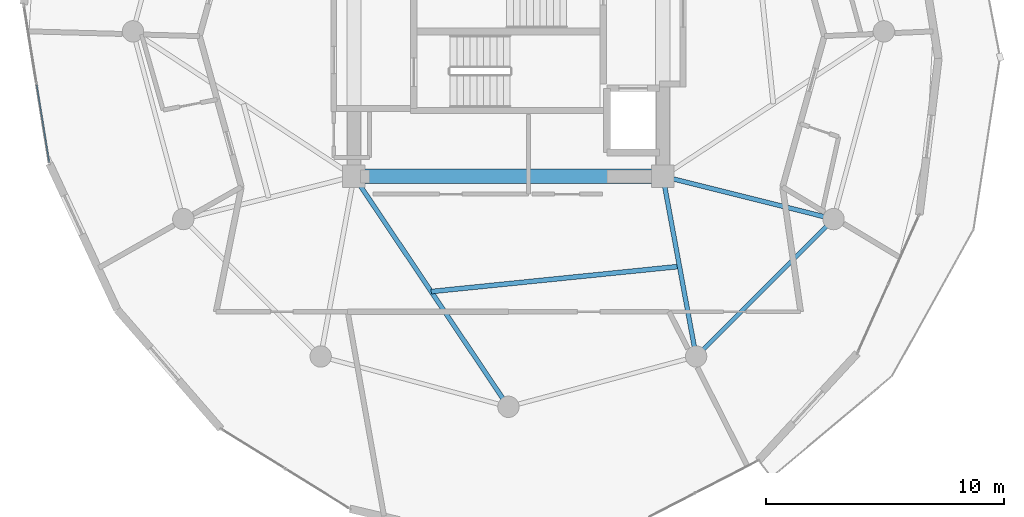
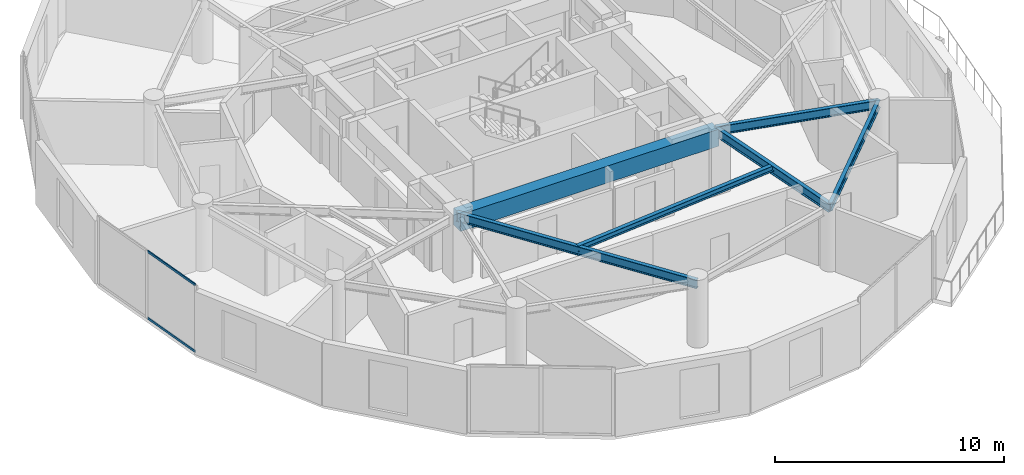
# One storey, part 6 of 22: 6 beams, 2 members, 1 element without a shape of its own.
"""IFC4 building model written with IfcOpenShell, lengths in metres."""

from ifc_helpers import new_model, si_unit, direction, frame, origin, origin_2d, place, context, subcontext, project, spatial, rectangle, hollow_rectangle, i_section, extrude, source, transform, mapped, material, layer, layer_set, material_profile, profile_set, type_object, element, aggregate, save


model = new_model("IFC4")

# Units and contexts
model_context = context("Model", 3, precision=1e-05, world=origin(), true_north=direction((0.0, 1.0)))
body_context = subcontext(model_context, "Body", "Model", "MODEL_VIEW")
ifc_project = project(units=[si_unit("LENGTHUNIT", "METRE"), si_unit("AREAUNIT", "SQUARE_METRE"), si_unit("VOLUMEUNIT", "CUBIC_METRE"), si_unit("PLANEANGLEUNIT", "RADIAN"), si_unit("MASSUNIT", "GRAM", prefix="KILO")], contexts=[model_context])

# Site, building, storey
site_placement = place(None, origin())
site = spatial("IfcSite", under=ifc_project, at=site_placement, CompositionType="ELEMENT")
building_placement = place(site_placement, origin())
building = spatial("IfcBuilding", under=site, at=building_placement, Name="Solvirekh Grand Hotel", CompositionType="ELEMENT")
storey_placement = place(building_placement, frame((0.0, 0.0, 227.199951171875)))
storey = spatial("IfcBuildingStorey", under=building, at=storey_placement, Name="L59", CompositionType="ELEMENT", Elevation=227.199951171875)

# Beams
ifc_material_1 = material(Name="Concrete C50/60", Category="concrete")
ifc_material_profile_1 = material_profile(ifc_material_1, rectangle(XDim=0.60009765625, YDim=0.89990234375, at=origin_2d()), Name="RC BEAM 600X900")
ifc_profile_set_1 = profile_set([ifc_material_profile_1], Name="Concrete C50/60")
beam_type_1 = type_object("IfcBeamType", Name="Beam_Core_RC900", PredefinedType="BEAM", material=ifc_profile_set_1)
beam_1_placement = place(storey_placement, frame((-6.5, -6.10009765625, 2.91015625), z_axis=(1.0, 0.0, 0.0), x_axis=(0.0, 1.0, 0.0)))
element("IfcBeam", 1, at=beam_1_placement, inside=storey, type_object=beam_type_1, Name="L59 core coupling ring beam 1", PredefinedType="BEAM", context=body_context, shape_type="SweptSolid", body=[
    extrude(rectangle(XDim=0.60009765625, YDim=0.89990234375, at=origin_2d()), origin(), (0.0, 0.0, 1.0), 13.0),
])
ifc_material_2 = material(Name="Steel S355", Category="steel")
ifc_material_profile_2 = material_profile(ifc_material_2, i_section(OverallWidth=0.194091796875, OverallDepth=0.468994140625, WebThickness=0.010986328125, FlangeThickness=0.01904296875, FilletRadius=0.012939453125, at=origin_2d()), Name="W460X106")
ifc_profile_set_2 = profile_set([ifc_material_profile_2], Name="Steel S355")
beam_type_2 = type_object("IfcBeamType", Name="Beam_Radial_W460H", PredefinedType="BEAM", material=ifc_profile_set_2)
beam_2_placement = place(storey_placement, frame((-6.5, -6.10009765625, 3.1259765625), z_axis=(0.556676926176, -0.830729077295, 0.0), x_axis=(0.830729077295, 0.556676926176, 0.0)))
element("IfcBeam", 2, at=beam_2_placement, inside=storey, type_object=beam_type_2, Name="L59 radial floor beam R10", PredefinedType="BEAM", context=body_context, shape_type="SweptSolid", body=[
    extrude(i_section(OverallWidth=0.194091796875, OverallDepth=0.468994140625, WebThickness=0.010986328125, FlangeThickness=0.01904296875, FilletRadius=0.012939453125, at=origin_2d()), origin(), (0.0, 0.0, 1.0), 11.676513671875),
])
beam_3_placement = place(storey_placement, frame((6.5, -6.10009765625, 3.1259765625), z_axis=(0.181542769111, -0.983383049978, 0.0), x_axis=(0.983383049978, 0.181542769111, 0.0)))
element("IfcBeam", 3, at=beam_3_placement, inside=storey, type_object=beam_type_2, Name="L59 radial floor beam R11", PredefinedType="BEAM", context=body_context, shape_type="SweptSolid", body=[
    extrude(i_section(OverallWidth=0.194091796875, OverallDepth=0.468994140625, WebThickness=0.010986328125, FlangeThickness=0.01904296875, FilletRadius=0.012939453125, at=origin_2d()), origin(), (0.0, 0.0, 1.0), 7.711181640625),
])
beam_4_placement = place(storey_placement, frame((6.5, -6.10009765625, 3.1259765625), z_axis=(0.970014367692, -0.243047580675, 0.0), x_axis=(0.243047580675, 0.970014367692, 0.0)))
element("IfcBeam", 4, at=beam_4_placement, inside=storey, type_object=beam_type_2, Name="L59 radial floor beam R12", PredefinedType="BEAM", context=body_context, shape_type="SweptSolid", body=[
    extrude(i_section(OverallWidth=0.194091796875, OverallDepth=0.468994140625, WebThickness=0.010986328125, FlangeThickness=0.01904296875, FilletRadius=0.012939453125, at=origin_2d()), origin(), (0.0, 0.0, 1.0), 7.4052734375),
])
ifc_material_profile_3 = material_profile(ifc_material_2, i_section(OverallWidth=0.202880859375, OverallDepth=0.302978515625, WebThickness=0.008056640625, FlangeThickness=0.012939453125, FilletRadius=0.010009765625, at=origin_2d()), Name="W310X60")
ifc_profile_set_3 = profile_set([ifc_material_profile_3], Name="Steel S355")
beam_type_3 = type_object("IfcBeamType", Name="Joist_Floor_W310", PredefinedType="JOIST", material=ifc_profile_set_3)
beam_5_placement = place(storey_placement, frame((-3.25, -10.949951171875, 3.208984375), z_axis=(0.994915167737, 0.100716478326, 0.0), x_axis=(-0.100716478326, 0.994915167737, 0.0)))
element("IfcBeam", 5, at=beam_5_placement, inside=storey, type_object=beam_type_3, Name="L59 secondary composite floor joist 10", PredefinedType="JOIST", context=body_context, shape_type="SweptSolid", body=[
    extrude(i_section(OverallWidth=0.202880859375, OverallDepth=0.302978515625, WebThickness=0.008056640625, FlangeThickness=0.012939453125, FilletRadius=0.010009765625, at=origin_2d()), origin(), (0.0, 0.0, 1.0), 10.50341796875),
])
ifc_material_profile_4 = material_profile(ifc_material_2, i_section(OverallWidth=0.180908203125, OverallDepth=0.4169921875, WebThickness=0.010009765625, FlangeThickness=0.01611328125, FilletRadius=0.011962890625, at=origin_2d()), Name="W410X85")
ifc_profile_set_4 = profile_set([ifc_material_profile_4], Name="Steel S355")
beam_type_4 = type_object("IfcBeamType", Name="Spandrel_Ring_W410", PredefinedType="SPANDREL", material=ifc_profile_set_4)
beam_6_placement = place(storey_placement, frame((7.89990234375, -13.68310546875, 3.152099609375), z_axis=(0.707106781187, 0.707106781187, 0.0), x_axis=(-0.707106781187, 0.707106781187, 0.0)))
element("IfcBeam", 6, at=beam_6_placement, inside=storey, type_object=beam_type_4, Name="L59 perimeter spandrel beam 11", PredefinedType="SPANDREL", context=body_context, shape_type="SweptSolid", body=[
    extrude(i_section(OverallWidth=0.180908203125, OverallDepth=0.4169921875, WebThickness=0.010009765625, FlangeThickness=0.01611328125, FilletRadius=0.011962890625, at=origin_2d()), origin(), (0.0, 0.0, 1.0), 8.1787109375),
])

# Curtain wall, members
ifc_material_3 = material(Name="Anodized Bronze Aluminium 6063-T6", Category="aluminium")
ifc_layer = layer(ifc_material_3, 0.159912109375)
ifc_layer_set = layer_set([ifc_layer], Name="Anodized Bronze Aluminium 6063-T6")
curtain_wall_type = type_object("IfcCurtainWallType", Name="CW_Sys4_HighZoneFlushBronzeCW", PredefinedType="NOTDEFINED", material=ifc_layer_set)
curtain_wall_placement = place(storey_placement, origin())
curtain_wall = element("IfcCurtainWall", 7, at=curtain_wall_placement, inside=storey, type_object=curtain_wall_type, Name="L59 unitised bronze-glass curtain wall CW-L59-C15", PredefinedType="NOTDEFINED")
ifc_material_profile_5 = material_profile(ifc_material_3, hollow_rectangle(XDim=0.054931640625, YDim=0.1201171875, WallThickness=0.00390625, at=origin_2d()), Name="ALU RHS 120X55X4")
ifc_profile_set_5 = profile_set([ifc_material_profile_5], Name="Anodized Bronze Aluminium 6063-T6")
member_type = type_object("IfcMemberType", Name="CWTransom_Sys4", PredefinedType="USERDEFINED", material=ifc_profile_set_5)
shared_shape = source(origin(), body_context, "Body", "SweptSolid", [
    extrude(hollow_rectangle(XDim=0.054931640625, YDim=0.1201171875, WallThickness=0.00390625, at=origin_2d()), origin(), (0.0, 0.0, 1.0), 3.302978515625),
])
member_1_placement = place(storey_placement, frame((-19.851318359375, -2.248046875, 0.027587890625), z_axis=(0.159218494922, -0.987243369628, 0.0), x_axis=(0.987243369628, 0.159218494922, 0.0)))
member_1 = element("IfcMember", 8, at=member_1_placement, type_object=member_type, Name="U04 transom 2.1", ObjectType="TRANSOM", PredefinedType="USERDEFINED", context=body_context, shape_type="MappedRepresentation", body=[
    mapped(shared_shape, transform((0.0, 0.0, 0.0), x_axis=(1.0, 0.0, 0.0), y_axis=(0.0, 1.0, 0.0), z_axis=(0.0, 0.0, 1.0), scale=1.0)),
])
member_2_placement = place(storey_placement, frame((-19.851318359375, -2.248046875, 3.572509765625), z_axis=(0.159218494922, -0.987243369628, 0.0), x_axis=(0.987243369628, 0.159218494922, 0.0)))
member_2 = element("IfcMember", 9, at=member_2_placement, type_object=member_type, Name="U04 transom 2.2", ObjectType="TRANSOM", PredefinedType="USERDEFINED", context=body_context, shape_type="MappedRepresentation", body=[
    mapped(shared_shape, transform((0.0, 0.0, 0.0), x_axis=(1.0, 0.0, 0.0), y_axis=(0.0, 1.0, 0.0), z_axis=(0.0, 0.0, 1.0), scale=1.0)),
])
aggregate(curtain_wall, [member_1, member_2])

save(model, "model.ifc")
